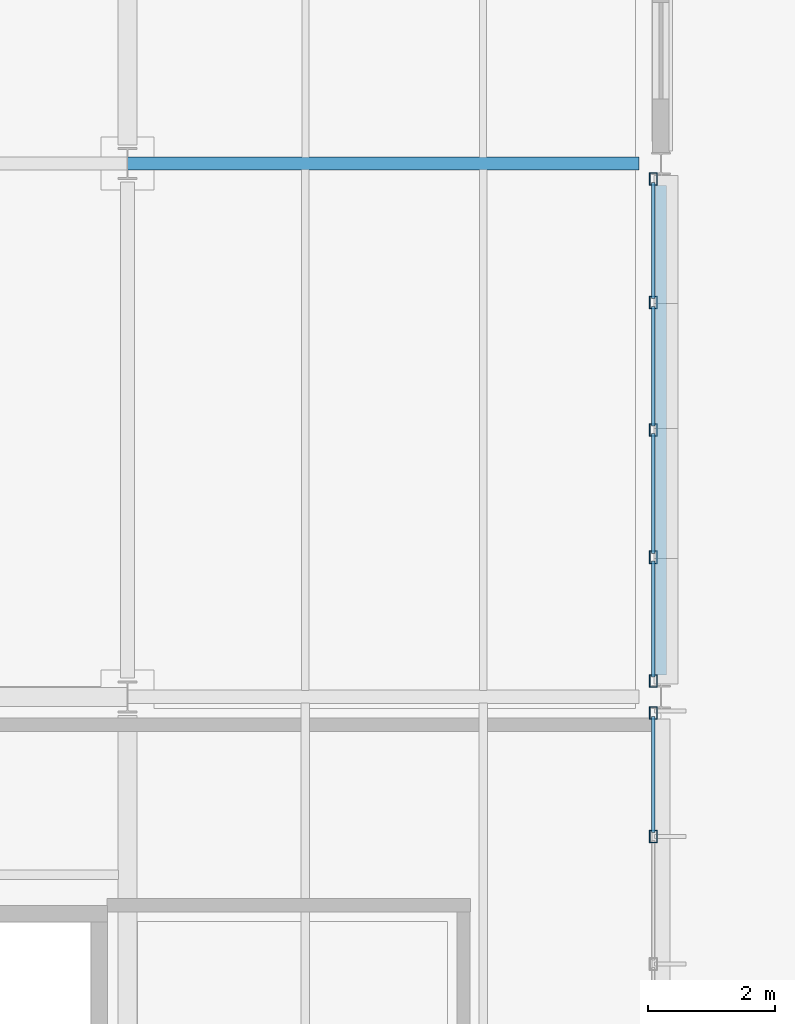
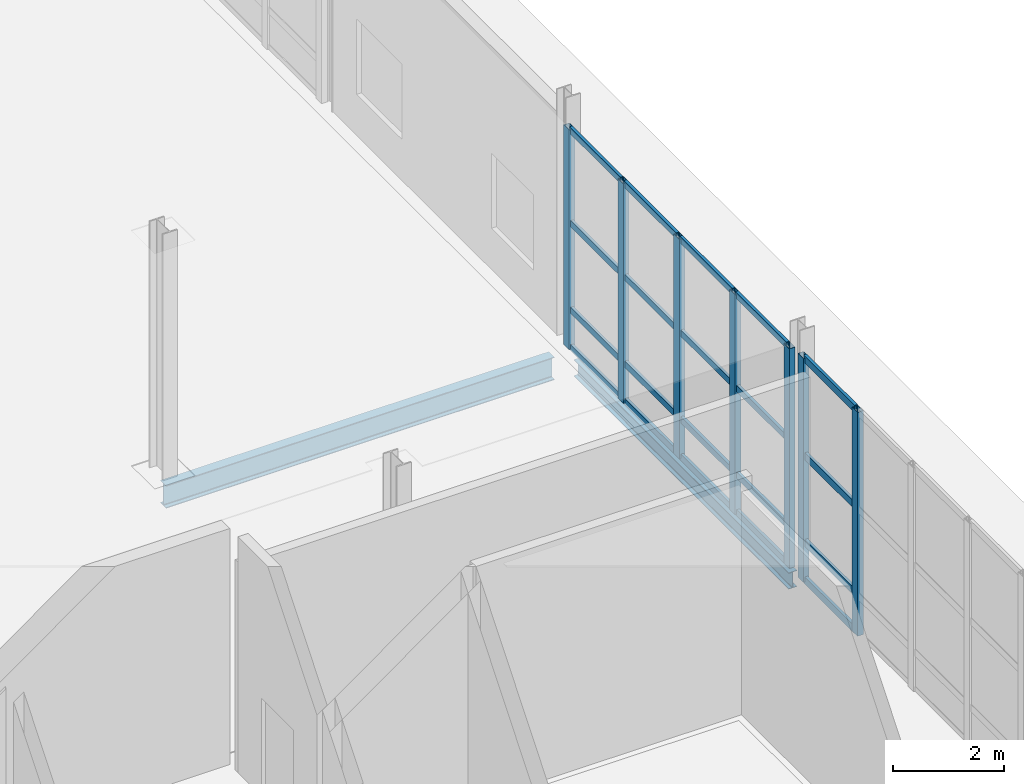
# One storey, part 60 of 124: 27 members, 2 beams, 2 elements without a shape of their own.
"""IFC4 building model written with IfcOpenShell, lengths in metres."""

from ifc_helpers import new_model, si_unit, direction, frame, origin, origin_2d, place, context, subcontext, project, spatial, hollow_rectangle, i_section, extrude, material, material_profile, profile_set, type_object, element, aggregate, save


model = new_model("IFC4")

# Units and contexts
model_context = context("Model", 3, precision=1e-05, world=origin(), true_north=direction((0.0, 1.0)))
body_context = subcontext(model_context, "Body", "Model", "MODEL_VIEW")
ifc_project = project(units=[si_unit("LENGTHUNIT", "METRE"), si_unit("AREAUNIT", "SQUARE_METRE"), si_unit("VOLUMEUNIT", "CUBIC_METRE"), si_unit("PLANEANGLEUNIT", "RADIAN"), si_unit("MASSUNIT", "GRAM", prefix="KILO")], contexts=[model_context])

# Site, building, storey
site_placement = place(None, origin())
site = spatial("IfcSite", under=ifc_project, at=site_placement, CompositionType="ELEMENT")
building_placement = place(site_placement, origin())
building = spatial("IfcBuilding", under=site, at=building_placement, Name="Mersafa Astral City Hall", CompositionType="ELEMENT")
storey_placement = place(building_placement, origin())
storey = spatial("IfcBuildingStorey", under=building, at=storey_placement, Name="L00", CompositionType="ELEMENT", Elevation=0.0)

# Curtain wall, members
ifc_material_1 = material(Name="Anodised bronze aluminium framing", Category="aluminium")
curtain_wall_type_1 = type_object("IfcCurtainWallType", Name="ENV-CW-3", PredefinedType="USERDEFINED", material=ifc_material_1)
curtain_wall_1_placement = place(storey_placement, origin())
curtain_wall_1 = element("IfcCurtainWall", 1, at=curtain_wall_1_placement, inside=storey, type_object=curtain_wall_type_1, Name="L00 Unitised solar curtain wall 26", ObjectType="UNITISED CURTAIN WALL", PredefinedType="USERDEFINED")
ifc_material_profile_1 = material_profile(ifc_material_1, hollow_rectangle(XDim=0.1201171875, YDim=0.199951171875, WallThickness=0.008056640625, at=origin_2d()), Name="RHS 120x200x8")
ifc_profile_set_1 = profile_set([ifc_material_profile_1], Name="Anodised bronze aluminium framing")
member_type_1 = type_object("IfcMemberType", Name="ENV-CW-MUL-2", PredefinedType="MULLION", material=ifc_profile_set_1)
member_1_placement = place(storey_placement, frame((184.679931640625, 65.00146484375, -0.001953125), z_axis=(0.0, 0.0, 1.0), x_axis=(-1.0, 0.0, 0.0)))
member_1 = element("IfcMember", 2, at=member_1_placement, type_object=member_type_1, Name="CW-3 mullion 4", PredefinedType="MULLION", context=body_context, shape_type="SweptSolid", body=[
    extrude(hollow_rectangle(XDim=0.1201171875, YDim=0.199951171875, WallThickness=0.008056640625, at=origin_2d()), origin(), (0.0, 0.0, 1.0), 4.904052734375),
])
member_2_placement = place(storey_placement, frame((184.679931640625, 66.947998046875, -0.001953125), z_axis=(0.0, 0.0, 1.0), x_axis=(-1.0, 0.0, 0.0)))
member_2 = element("IfcMember", 3, at=member_2_placement, type_object=member_type_1, Name="CW-3 mullion 5", PredefinedType="MULLION", context=body_context, shape_type="SweptSolid", body=[
    extrude(hollow_rectangle(XDim=0.1201171875, YDim=0.199951171875, WallThickness=0.008056640625, at=origin_2d()), origin(), (0.0, 0.0, 1.0), 4.904052734375),
])

curtain_wall_type_2 = type_object("IfcCurtainWallType", Name="ENV-CW-4", PredefinedType="USERDEFINED", material=ifc_material_1)
curtain_wall_2_placement = place(storey_placement, origin())
curtain_wall_2 = element("IfcCurtainWall", 4, at=curtain_wall_2_placement, inside=storey, type_object=curtain_wall_type_2, Name="L00 Unitised solar curtain wall 27", ObjectType="UNITISED CURTAIN WALL", PredefinedType="USERDEFINED")
member_3_placement = place(storey_placement, frame((184.679931640625, 67.451904296875, -0.001953125), z_axis=(0.0, 0.0, 1.0), x_axis=(-1.0, 0.0, 0.0)))
member_3 = element("IfcMember", 5, at=member_3_placement, type_object=member_type_1, Name="CW-4 mullion 1", PredefinedType="MULLION", context=body_context, shape_type="SweptSolid", body=[
    extrude(hollow_rectangle(XDim=0.1201171875, YDim=0.199951171875, WallThickness=0.008056640625, at=origin_2d()), origin(), (0.0, 0.0, 1.0), 4.81396484375),
])
member_4_placement = place(storey_placement, frame((184.679931640625, 69.3984375, -0.001953125), z_axis=(0.0, 0.0, 1.0), x_axis=(-1.0, 0.0, 0.0)))
member_4 = element("IfcMember", 6, at=member_4_placement, type_object=member_type_1, Name="CW-4 mullion 2", PredefinedType="MULLION", context=body_context, shape_type="SweptSolid", body=[
    extrude(hollow_rectangle(XDim=0.1201171875, YDim=0.199951171875, WallThickness=0.008056640625, at=origin_2d()), origin(), (0.0, 0.0, 1.0), 4.81396484375),
])
member_5_placement = place(storey_placement, frame((184.679931640625, 71.405029296875, -0.001953125), z_axis=(0.0, 0.0, 1.0), x_axis=(-1.0, 0.0, 0.0)))
member_5 = element("IfcMember", 7, at=member_5_placement, type_object=member_type_1, Name="CW-4 mullion 3", PredefinedType="MULLION", context=body_context, shape_type="SweptSolid", body=[
    extrude(hollow_rectangle(XDim=0.1201171875, YDim=0.199951171875, WallThickness=0.008056640625, at=origin_2d()), origin(), (0.0, 0.0, 1.0), 4.81396484375),
])
member_6_placement = place(storey_placement, frame((184.679931640625, 73.41162109375, -0.001953125), z_axis=(0.0, 0.0, 1.0), x_axis=(-1.0, 0.0, 0.0)))
member_6 = element("IfcMember", 8, at=member_6_placement, type_object=member_type_1, Name="CW-4 mullion 4", PredefinedType="MULLION", context=body_context, shape_type="SweptSolid", body=[
    extrude(hollow_rectangle(XDim=0.1201171875, YDim=0.199951171875, WallThickness=0.008056640625, at=origin_2d()), origin(), (0.0, 0.0, 1.0), 4.81396484375),
])
member_7_placement = place(storey_placement, frame((184.679931640625, 75.35791015625, -0.001953125), z_axis=(0.0, 0.0, 1.0), x_axis=(-1.0, 0.0, 0.0)))
member_7 = element("IfcMember", 9, at=member_7_placement, type_object=member_type_1, Name="CW-4 mullion 5", PredefinedType="MULLION", context=body_context, shape_type="SweptSolid", body=[
    extrude(hollow_rectangle(XDim=0.1201171875, YDim=0.199951171875, WallThickness=0.008056640625, at=origin_2d()), origin(), (0.0, 0.0, 1.0), 4.81396484375),
])
ifc_material_profile_2 = material_profile(ifc_material_1, hollow_rectangle(XDim=0.06005859375, YDim=0.139892578125, WallThickness=0.00390625, at=origin_2d()), Name="RHS 60x140x4")
ifc_profile_set_2 = profile_set([ifc_material_profile_2], Name="Anodised bronze aluminium framing")
member_type_2 = type_object("IfcMemberType", Name="ENV-CW-TRN-1", PredefinedType="USERDEFINED", material=ifc_profile_set_2)
member_8_placement = place(storey_placement, frame((184.679931640625, 67.511962890625, 0.028076171875), z_axis=(0.0, 1.0, 0.0), x_axis=(-1.0, 0.0, 0.0)))
member_8 = element("IfcMember", 10, at=member_8_placement, type_object=member_type_2, Name="CW-4 transom 1.1", ObjectType="TRANSOM", PredefinedType="USERDEFINED", context=body_context, shape_type="SweptSolid", body=[
    extrude(hollow_rectangle(XDim=0.06005859375, YDim=0.139892578125, WallThickness=0.00390625, at=origin_2d()), origin(), (0.0, 0.0, 1.0), 1.826416015625),
])
member_9_placement = place(storey_placement, frame((184.679931640625, 67.511962890625, 0.85009765625), z_axis=(0.0, 1.0, 0.0), x_axis=(-1.0, 0.0, 0.0)))
member_9 = element("IfcMember", 11, at=member_9_placement, type_object=member_type_2, Name="CW-4 transom 1.2", ObjectType="TRANSOM", PredefinedType="USERDEFINED", context=body_context, shape_type="SweptSolid", body=[
    extrude(hollow_rectangle(XDim=0.06005859375, YDim=0.139892578125, WallThickness=0.00390625, at=origin_2d()), origin(), (0.0, 0.0, 1.0), 1.826416015625),
])
member_10_placement = place(storey_placement, frame((184.679931640625, 67.511962890625, 2.75), z_axis=(0.0, 1.0, 0.0), x_axis=(-1.0, 0.0, 0.0)))
member_10 = element("IfcMember", 12, at=member_10_placement, type_object=member_type_2, Name="CW-4 transom 1.3", ObjectType="TRANSOM", PredefinedType="USERDEFINED", context=body_context, shape_type="SweptSolid", body=[
    extrude(hollow_rectangle(XDim=0.06005859375, YDim=0.139892578125, WallThickness=0.00390625, at=origin_2d()), origin(), (0.0, 0.0, 1.0), 1.826416015625),
])
member_11_placement = place(storey_placement, frame((184.679931640625, 67.511962890625, 4.781982421875), z_axis=(0.0, 1.0, 0.0), x_axis=(-1.0, 0.0, 0.0)))
member_11 = element("IfcMember", 13, at=member_11_placement, type_object=member_type_2, Name="CW-4 transom 1.4", ObjectType="TRANSOM", PredefinedType="USERDEFINED", context=body_context, shape_type="SweptSolid", body=[
    extrude(hollow_rectangle(XDim=0.06005859375, YDim=0.139892578125, WallThickness=0.00390625, at=origin_2d()), origin(), (0.0, 0.0, 1.0), 1.826416015625),
])
member_12_placement = place(storey_placement, frame((184.679931640625, 69.45849609375, 0.028076171875), z_axis=(0.0, 1.0, 0.0), x_axis=(-1.0, 0.0, 0.0)))
member_12 = element("IfcMember", 14, at=member_12_placement, type_object=member_type_2, Name="CW-4 transom 2.1", ObjectType="TRANSOM", PredefinedType="USERDEFINED", context=body_context, shape_type="SweptSolid", body=[
    extrude(hollow_rectangle(XDim=0.06005859375, YDim=0.139892578125, WallThickness=0.00390625, at=origin_2d()), origin(), (0.0, 0.0, 1.0), 1.886474609375),
])
member_13_placement = place(storey_placement, frame((184.679931640625, 69.45849609375, 0.85009765625), z_axis=(0.0, 1.0, 0.0), x_axis=(-1.0, 0.0, 0.0)))
member_13 = element("IfcMember", 15, at=member_13_placement, type_object=member_type_2, Name="CW-4 transom 2.2", ObjectType="TRANSOM", PredefinedType="USERDEFINED", context=body_context, shape_type="SweptSolid", body=[
    extrude(hollow_rectangle(XDim=0.06005859375, YDim=0.139892578125, WallThickness=0.00390625, at=origin_2d()), origin(), (0.0, 0.0, 1.0), 1.886474609375),
])
member_14_placement = place(storey_placement, frame((184.679931640625, 69.45849609375, 2.75), z_axis=(0.0, 1.0, 0.0), x_axis=(-1.0, 0.0, 0.0)))
member_14 = element("IfcMember", 16, at=member_14_placement, type_object=member_type_2, Name="CW-4 transom 2.3", ObjectType="TRANSOM", PredefinedType="USERDEFINED", context=body_context, shape_type="SweptSolid", body=[
    extrude(hollow_rectangle(XDim=0.06005859375, YDim=0.139892578125, WallThickness=0.00390625, at=origin_2d()), origin(), (0.0, 0.0, 1.0), 1.886474609375),
])
member_15_placement = place(storey_placement, frame((184.679931640625, 69.45849609375, 4.781982421875), z_axis=(0.0, 1.0, 0.0), x_axis=(-1.0, 0.0, 0.0)))
member_15 = element("IfcMember", 17, at=member_15_placement, type_object=member_type_2, Name="CW-4 transom 2.4", ObjectType="TRANSOM", PredefinedType="USERDEFINED", context=body_context, shape_type="SweptSolid", body=[
    extrude(hollow_rectangle(XDim=0.06005859375, YDim=0.139892578125, WallThickness=0.00390625, at=origin_2d()), origin(), (0.0, 0.0, 1.0), 1.886474609375),
])
member_16_placement = place(storey_placement, frame((184.679931640625, 71.465087890625, 0.028076171875), z_axis=(0.0, 1.0, 0.0), x_axis=(-1.0, 0.0, 0.0)))
member_16 = element("IfcMember", 18, at=member_16_placement, type_object=member_type_2, Name="CW-4 transom 3.1", ObjectType="TRANSOM", PredefinedType="USERDEFINED", context=body_context, shape_type="SweptSolid", body=[
    extrude(hollow_rectangle(XDim=0.06005859375, YDim=0.139892578125, WallThickness=0.00390625, at=origin_2d()), origin(), (0.0, 0.0, 1.0), 1.886474609375),
])
member_17_placement = place(storey_placement, frame((184.679931640625, 71.465087890625, 0.85009765625), z_axis=(0.0, 1.0, 0.0), x_axis=(-1.0, 0.0, 0.0)))
member_17 = element("IfcMember", 19, at=member_17_placement, type_object=member_type_2, Name="CW-4 transom 3.2", ObjectType="TRANSOM", PredefinedType="USERDEFINED", context=body_context, shape_type="SweptSolid", body=[
    extrude(hollow_rectangle(XDim=0.06005859375, YDim=0.139892578125, WallThickness=0.00390625, at=origin_2d()), origin(), (0.0, 0.0, 1.0), 1.886474609375),
])
member_18_placement = place(storey_placement, frame((184.679931640625, 71.465087890625, 2.75), z_axis=(0.0, 1.0, 0.0), x_axis=(-1.0, 0.0, 0.0)))
member_18 = element("IfcMember", 20, at=member_18_placement, type_object=member_type_2, Name="CW-4 transom 3.3", ObjectType="TRANSOM", PredefinedType="USERDEFINED", context=body_context, shape_type="SweptSolid", body=[
    extrude(hollow_rectangle(XDim=0.06005859375, YDim=0.139892578125, WallThickness=0.00390625, at=origin_2d()), origin(), (0.0, 0.0, 1.0), 1.886474609375),
])
member_19_placement = place(storey_placement, frame((184.679931640625, 71.465087890625, 4.781982421875), z_axis=(0.0, 1.0, 0.0), x_axis=(-1.0, 0.0, 0.0)))
member_19 = element("IfcMember", 21, at=member_19_placement, type_object=member_type_2, Name="CW-4 transom 3.4", ObjectType="TRANSOM", PredefinedType="USERDEFINED", context=body_context, shape_type="SweptSolid", body=[
    extrude(hollow_rectangle(XDim=0.06005859375, YDim=0.139892578125, WallThickness=0.00390625, at=origin_2d()), origin(), (0.0, 0.0, 1.0), 1.886474609375),
])
member_20_placement = place(storey_placement, frame((184.679931640625, 73.471435546875, 0.028076171875), z_axis=(0.0, 1.0, 0.0), x_axis=(-1.0, 0.0, 0.0)))
member_20 = element("IfcMember", 22, at=member_20_placement, type_object=member_type_2, Name="CW-4 transom 4.1", ObjectType="TRANSOM", PredefinedType="USERDEFINED", context=body_context, shape_type="SweptSolid", body=[
    extrude(hollow_rectangle(XDim=0.06005859375, YDim=0.139892578125, WallThickness=0.00390625, at=origin_2d()), origin(), (0.0, 0.0, 1.0), 1.82666015625),
])
member_21_placement = place(storey_placement, frame((184.679931640625, 73.471435546875, 0.85009765625), z_axis=(0.0, 1.0, 0.0), x_axis=(-1.0, 0.0, 0.0)))
member_21 = element("IfcMember", 23, at=member_21_placement, type_object=member_type_2, Name="CW-4 transom 4.2", ObjectType="TRANSOM", PredefinedType="USERDEFINED", context=body_context, shape_type="SweptSolid", body=[
    extrude(hollow_rectangle(XDim=0.06005859375, YDim=0.139892578125, WallThickness=0.00390625, at=origin_2d()), origin(), (0.0, 0.0, 1.0), 1.82666015625),
])
member_22_placement = place(storey_placement, frame((184.679931640625, 73.471435546875, 2.75), z_axis=(0.0, 1.0, 0.0), x_axis=(-1.0, 0.0, 0.0)))
member_22 = element("IfcMember", 24, at=member_22_placement, type_object=member_type_2, Name="CW-4 transom 4.3", ObjectType="TRANSOM", PredefinedType="USERDEFINED", context=body_context, shape_type="SweptSolid", body=[
    extrude(hollow_rectangle(XDim=0.06005859375, YDim=0.139892578125, WallThickness=0.00390625, at=origin_2d()), origin(), (0.0, 0.0, 1.0), 1.82666015625),
])
member_23_placement = place(storey_placement, frame((184.679931640625, 73.471435546875, 4.781982421875), z_axis=(0.0, 1.0, 0.0), x_axis=(-1.0, 0.0, 0.0)))
member_23 = element("IfcMember", 25, at=member_23_placement, type_object=member_type_2, Name="CW-4 transom 4.4", ObjectType="TRANSOM", PredefinedType="USERDEFINED", context=body_context, shape_type="SweptSolid", body=[
    extrude(hollow_rectangle(XDim=0.06005859375, YDim=0.139892578125, WallThickness=0.00390625, at=origin_2d()), origin(), (0.0, 0.0, 1.0), 1.82666015625),
])
aggregate(curtain_wall_2, [member_3, member_4, member_5, member_6, member_7, member_8, member_9, member_10, member_11, member_12, member_13, member_14, member_15, member_16, member_17, member_18, member_19, member_20, member_21, member_22, member_23])

# Member
ifc_material_profile_3 = material_profile(ifc_material_1, hollow_rectangle(XDim=0.06005859375, YDim=0.159912109375, WallThickness=0.00390625, at=origin_2d()), Name="RHS 60x160x4")
ifc_profile_set_3 = profile_set([ifc_material_profile_3], Name="Anodised bronze aluminium framing")
member_type_3 = type_object("IfcMemberType", Name="ENV-CW-TRN-2", PredefinedType="USERDEFINED", material=ifc_profile_set_3)
member_24_placement = place(storey_placement, frame((184.679931640625, 65.0615234375, 0.028076171875), z_axis=(0.0, 1.0, 0.0), x_axis=(-1.0, 0.0, 0.0)))
member_24 = element("IfcMember", 26, at=member_24_placement, type_object=member_type_3, Name="CW-3 transom 4.1", ObjectType="TRANSOM", PredefinedType="USERDEFINED", context=body_context, shape_type="SweptSolid", body=[
    extrude(hollow_rectangle(XDim=0.06005859375, YDim=0.159912109375, WallThickness=0.00390625, at=origin_2d()), origin(), (0.0, 0.0, 1.0), 1.826416015625),
])

member_25_placement = place(storey_placement, frame((184.679931640625, 65.0615234375, 0.85009765625), z_axis=(0.0, 1.0, 0.0), x_axis=(-1.0, 0.0, 0.0)))
member_25 = element("IfcMember", 27, at=member_25_placement, type_object=member_type_3, Name="CW-3 transom 4.2", ObjectType="TRANSOM", PredefinedType="USERDEFINED", context=body_context, shape_type="SweptSolid", body=[
    extrude(hollow_rectangle(XDim=0.06005859375, YDim=0.159912109375, WallThickness=0.00390625, at=origin_2d()), origin(), (0.0, 0.0, 1.0), 1.826416015625),
])

member_26_placement = place(storey_placement, frame((184.679931640625, 65.0615234375, 2.75), z_axis=(0.0, 1.0, 0.0), x_axis=(-1.0, 0.0, 0.0)))
member_26 = element("IfcMember", 28, at=member_26_placement, type_object=member_type_3, Name="CW-3 transom 4.3", ObjectType="TRANSOM", PredefinedType="USERDEFINED", context=body_context, shape_type="SweptSolid", body=[
    extrude(hollow_rectangle(XDim=0.06005859375, YDim=0.159912109375, WallThickness=0.00390625, at=origin_2d()), origin(), (0.0, 0.0, 1.0), 1.826416015625),
])

member_27_placement = place(storey_placement, frame((184.679931640625, 65.0615234375, 4.8720703125), z_axis=(0.0, 1.0, 0.0), x_axis=(-1.0, 0.0, 0.0)))
member_27 = element("IfcMember", 29, at=member_27_placement, type_object=member_type_3, Name="CW-3 transom 4.4", ObjectType="TRANSOM", PredefinedType="USERDEFINED", context=body_context, shape_type="SweptSolid", body=[
    extrude(hollow_rectangle(XDim=0.06005859375, YDim=0.159912109375, WallThickness=0.00390625, at=origin_2d()), origin(), (0.0, 0.0, 1.0), 1.826416015625),
])

aggregate(curtain_wall_1, [member_1, member_2, member_24, member_25, member_26, member_27])

# Beams
ifc_material_2 = material(Name="Steel S355", Category="steel")
ifc_material_profile_4 = material_profile(ifc_material_2, i_section(OverallWidth=0.199951171875, OverallDepth=0.5, WebThickness=0.01025390625, FlangeThickness=0.01611328125, FilletRadius=0.02099609375, at=origin_2d()), Name="IPE 500")
ifc_profile_set_4 = profile_set([ifc_material_profile_4], Name="Steel S355")
beam_type_1 = type_object("IfcBeamType", Name="STR-BM-IPE500", PredefinedType="BEAM", material=ifc_profile_set_4)
beam_1_placement = place(storey_placement, frame((176.403076171875, 75.60009765625, -0.5), z_axis=(1.0, 0.0, 0.0), x_axis=(0.0, 1.0, 0.0)))
element("IfcBeam", 30, at=beam_1_placement, inside=storey, type_object=beam_type_1, Name="L00 Primary girder X 21-9", PredefinedType="BEAM", context=body_context, shape_type="SweptSolid", body=[
    extrude(i_section(OverallWidth=0.199951171875, OverallDepth=0.5, WebThickness=0.01025390625, FlangeThickness=0.01611328125, FilletRadius=0.02099609375, at=origin_2d()), origin(), (0.0, 0.0, 1.0), 8.052001953125),
])
ifc_material_profile_5 = material_profile(ifc_material_2, i_section(OverallWidth=0.169921875, OverallDepth=0.360107421875, WebThickness=0.008056640625, FlangeThickness=0.0126953125, FilletRadius=0.01806640625, at=origin_2d()), Name="IPE 360")
ifc_profile_set_5 = profile_set([ifc_material_profile_5], Name="Steel S355")
beam_type_2 = type_object("IfcBeamType", Name="STR-BM-SPANDREL-IPE360", PredefinedType="SPANDREL", material=ifc_profile_set_5)
beam_2_placement = place(storey_placement, frame((184.800048828125, 67.544921875, -0.429931640625), z_axis=(0.0, 1.0, 0.0), x_axis=(-1.0, 0.0, 0.0)))
element("IfcBeam", 31, at=beam_2_placement, inside=storey, type_object=beam_type_2, Name="L00 Primary girder Y 22-8", PredefinedType="SPANDREL", context=body_context, shape_type="SweptSolid", body=[
    extrude(i_section(OverallWidth=0.169921875, OverallDepth=0.360107421875, WebThickness=0.008056640625, FlangeThickness=0.0126953125, FilletRadius=0.01806640625, at=origin_2d()), origin(), (0.0, 0.0, 1.0), 7.7099609375),
])

save(model, "model.ifc")
